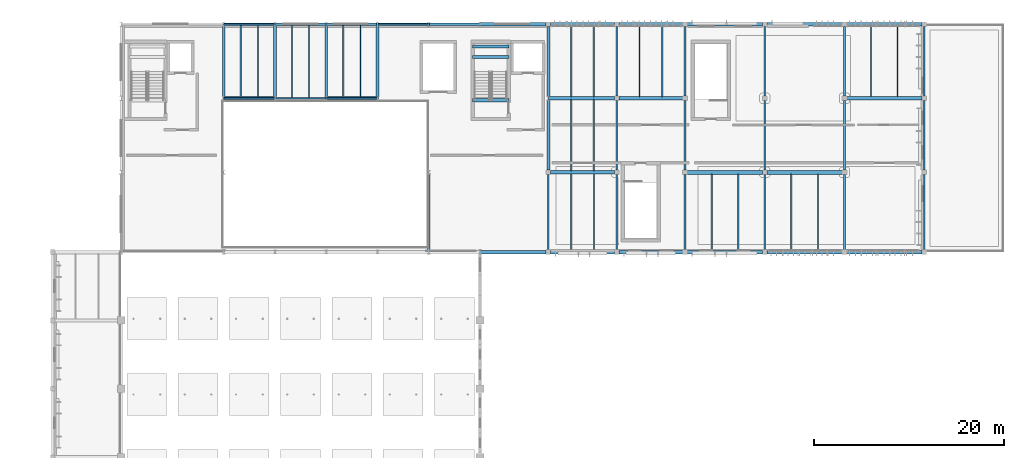
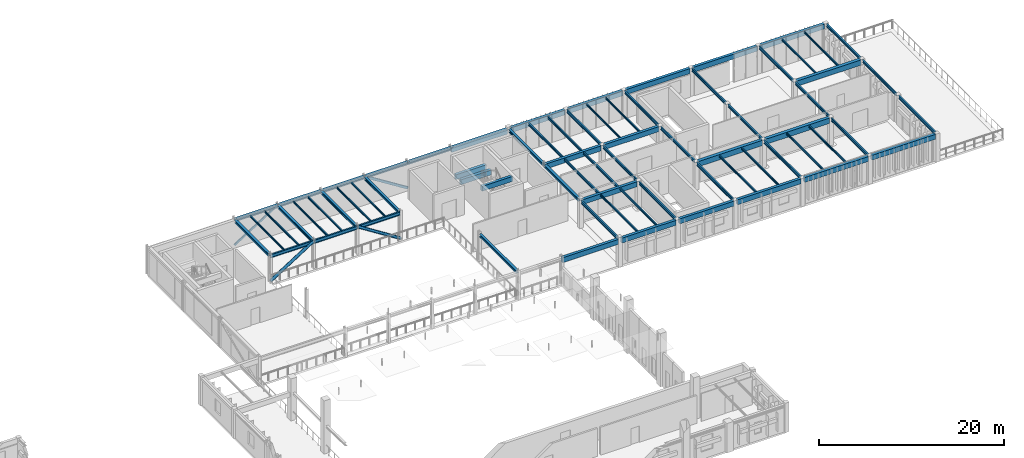
# One storey, part 7 of 44: 72 beams, 4 members.
"""IFC4 building model written with IfcOpenShell, lengths in metres."""

from ifc_helpers import new_model, si_unit, direction, frame, origin, origin_2d, place, context, subcontext, project, spatial, rectangle, hollow_rectangle, hollow_circle, i_section, extrude, material, material_profile, profile_set, type_object, element, save


model = new_model("IFC4")

# Units and contexts
model_context = context("Model", 3, precision=1e-05, world=origin(), true_north=direction((0.0, 1.0)))
body_context = subcontext(model_context, "Body", "Model", "MODEL_VIEW")
ifc_project = project(units=[si_unit("LENGTHUNIT", "METRE"), si_unit("AREAUNIT", "SQUARE_METRE"), si_unit("VOLUMEUNIT", "CUBIC_METRE"), si_unit("PLANEANGLEUNIT", "RADIAN"), si_unit("MASSUNIT", "GRAM", prefix="KILO")], contexts=[model_context])

# Site, building, storey
site_placement = place(None, origin())
site = spatial("IfcSite", under=ifc_project, at=site_placement, CompositionType="ELEMENT")
building_placement = place(site_placement, origin())
building = spatial("IfcBuilding", under=site, at=building_placement, Name="Tazoul Stagehouse", CompositionType="ELEMENT")
storey_placement = place(building_placement, frame((0.0, 0.0, 13.199951171875)))
storey = spatial("IfcBuildingStorey", under=building, at=storey_placement, Name="L03", CompositionType="ELEMENT", Elevation=13.199951171875)

# Members
ifc_material_1 = material(Name="Steel S355", Category="steel")
ifc_material_profile_1 = material_profile(ifc_material_1, hollow_rectangle(XDim=0.199951171875, YDim=0.300048828125, WallThickness=0.012451171875, InnerFilletRadius=0.012451171875, OuterFilletRadius=0.018798828125, at=origin_2d()), Name="RHS 300x200x12.5")
ifc_profile_set_1 = profile_set([ifc_material_profile_1], Name="Steel S355")
member_type_1 = type_object("IfcMemberType", Name="Heavy Frame Brace RHS 300x200x12.5 (Exterior)", PredefinedType="BRACE", material=ifc_profile_set_1)
member_1_placement = place(storey_placement, frame((90.0, 111.800048828125, 0.150146484375), z_axis=(-0.84623539576, 0.0, 0.532809210659), x_axis=(0.0, -1.0, 0.0)))
element("IfcMember", 1, at=member_1_placement, inside=storey, type_object=member_type_1, Name="L03 Concentric Brace BR-06E (BR-FT-L03-N2)", PredefinedType="BRACE", context=body_context, shape_type="SweptSolid", body=[
    extrude(hollow_rectangle(XDim=0.199951171875, YDim=0.300048828125, WallThickness=0.012451171875, InnerFilletRadius=0.012451171875, OuterFilletRadius=0.018798828125, at=origin_2d()), origin(), (0.0, 0.0, 1.0), 6.381103515625),
])
ifc_material_profile_2 = material_profile(ifc_material_1, hollow_rectangle(XDim=0.14990234375, YDim=0.25, WallThickness=0.010009765625, InnerFilletRadius=0.010009765625, OuterFilletRadius=0.014892578125, at=origin_2d()), Name="RHS 250x150x10")
ifc_profile_set_2 = profile_set([ifc_material_profile_2], Name="Steel S355")
member_type_2 = type_object("IfcMemberType", Name="Lateral Frame Brace RHS 250x150x10 (Exterior)", PredefinedType="BRACE", material=ifc_profile_set_2)
member_2_placement = place(storey_placement, frame((68.39990234375, 111.800048828125, 0.150146484375), z_axis=(0.846246256707, 0.0, 0.532791960346), x_axis=(0.0, 1.0, 0.0)))
element("IfcMember", 2, at=member_2_placement, inside=storey, type_object=member_type_2, Name="L03 Concentric Brace BR-05E (BR-FT-L03-N1)", PredefinedType="BRACE", context=body_context, shape_type="SweptSolid", body=[
    extrude(hollow_rectangle(XDim=0.14990234375, YDim=0.25, WallThickness=0.010009765625, InnerFilletRadius=0.010009765625, OuterFilletRadius=0.014892578125, at=origin_2d()), origin(), (0.0, 0.0, 1.0), 6.38134765625),
])

# Beams
ifc_material_2 = material(Name="Concrete C40/50", Category="concrete")
ifc_material_profile_3 = material_profile(ifc_material_2, rectangle(XDim=0.35009765625, YDim=0.64990234375, at=origin_2d()), Name="RC 350x650")
ifc_profile_set_3 = profile_set([ifc_material_profile_3], Name="Concrete C40/50")
beam_type_1 = type_object("IfcBeamType", Name="RC Perimeter Spandrel 350x650", PredefinedType="SPANDREL", material=ifc_profile_set_3)
beam_1_placement = place(storey_placement, frame((95.409912109375, 87.800048828125, 3.322998046875), z_axis=(1.0, 0.0, 0.0), x_axis=(0.0, 1.0, 0.0)))
element("IfcBeam", 3, at=beam_1_placement, inside=storey, type_object=beam_type_1, Name="L03 Beam SP-01 N/15-16", PredefinedType="SPANDREL", context=body_context, shape_type="SweptSolid", body=[
    extrude(rectangle(XDim=0.35009765625, YDim=0.64990234375, at=origin_2d()), origin(), (0.0, 0.0, 1.0), 6.965087890625),
])
ifc_material_profile_4 = material_profile(ifc_material_2, rectangle(XDim=0.35009765625, YDim=0.64990234375, at=origin_2d()), Name="RC 350x650")
ifc_profile_set_4 = profile_set([ifc_material_profile_4], Name="Concrete C40/50")
beam_type_2 = type_object("IfcBeamType", Name="RC Perimeter Spandrel 350x650 (Exterior)", PredefinedType="SPANDREL", material=ifc_profile_set_4)
for number, where, z_axis, x_axis, name in (
    (4, (102.824951171875, 87.800048828125, 3.322998046875), (1.0, 0.0, 0.0), (0.0, 1.0, 0.0), "L03 Beam SP-01E N/16-17"),
    (5, (110.02490234375, 87.800048828125, 3.3330078125), (1.0, 0.0, 0.0), (0.0, 1.0, 0.0), "L03 Beam SP-01E N/17-18"),
):
    element("IfcBeam", number, at=place(storey_placement, frame(where, z_axis=z_axis, x_axis=x_axis)), inside=storey, type_object=beam_type_2, Name=name, PredefinedType="SPANDREL", context=body_context, shape_type="SweptSolid", body=[
        extrude(rectangle(XDim=0.35009765625, YDim=0.64990234375, at=origin_2d()), origin(), (0.0, 0.0, 1.0), 6.75),
    ])
for number, where, z_axis, x_axis, name in (
    (6, (117.22509765625, 87.800048828125, 3.3330078125), (1.0, 0.0, 0.0), (0.0, 1.0, 0.0), "L03 Beam SP-01E N/18-19"),
    (7, (125.625, 87.800048828125, 3.3330078125), (1.0, 0.0, 0.0), (0.0, 1.0, 0.0), "L03 Beam SP-01E N/19-20"),
):
    element("IfcBeam", number, at=place(storey_placement, frame(where, z_axis=z_axis, x_axis=x_axis)), inside=storey, type_object=beam_type_2, Name=name, PredefinedType="SPANDREL", context=body_context, shape_type="SweptSolid", body=[
        extrude(rectangle(XDim=0.35009765625, YDim=0.64990234375, at=origin_2d()), origin(), (0.0, 0.0, 1.0), 7.949951171875),
    ])
beam_2_placement = place(storey_placement, frame((134.02490234375, 87.800048828125, 3.3330078125), z_axis=(1.0, 0.0, 0.0), x_axis=(0.0, 1.0, 0.0)))
element("IfcBeam", 8, at=beam_2_placement, inside=storey, type_object=beam_type_2, Name="L03 Beam SP-01E N/20-21", PredefinedType="SPANDREL", context=body_context, shape_type="SweptSolid", body=[
    extrude(rectangle(XDim=0.35009765625, YDim=0.64990234375, at=origin_2d()), origin(), (0.0, 0.0, 1.0), 7.9501953125),
])
beam_3_placement = place(storey_placement, frame((95.409912109375, 111.800048828125, 3.322998046875), z_axis=(1.0, 0.0, 0.0), x_axis=(0.0, 1.0, 0.0)))
element("IfcBeam", 9, at=beam_3_placement, inside=storey, type_object=beam_type_2, Name="L03 Beam SP-01E R/15-16", PredefinedType="SPANDREL", context=body_context, shape_type="SweptSolid", body=[
    extrude(rectangle(XDim=0.35009765625, YDim=0.64990234375, at=origin_2d()), origin(), (0.0, 0.0, 1.0), 6.965087890625),
])
for number, where, z_axis, x_axis, name in (
    (10, (102.824951171875, 111.800048828125, 3.322998046875), (1.0, 0.0, 0.0), (0.0, 1.0, 0.0), "L03 Beam SP-01E R/16-17"),
    (11, (110.02490234375, 111.800048828125, 3.3330078125), (1.0, 0.0, 0.0), (0.0, 1.0, 0.0), "L03 Beam SP-01E R/17-18"),
):
    element("IfcBeam", number, at=place(storey_placement, frame(where, z_axis=z_axis, x_axis=x_axis)), inside=storey, type_object=beam_type_2, Name=name, PredefinedType="SPANDREL", context=body_context, shape_type="SweptSolid", body=[
        extrude(rectangle(XDim=0.35009765625, YDim=0.64990234375, at=origin_2d()), origin(), (0.0, 0.0, 1.0), 6.75),
    ])
for number, where, z_axis, x_axis, name in (
    (12, (117.22509765625, 111.800048828125, 3.3330078125), (1.0, 0.0, 0.0), (0.0, 1.0, 0.0), "L03 Beam SP-01E R/18-19"),
    (13, (125.625, 111.800048828125, 3.3330078125), (1.0, 0.0, 0.0), (0.0, 1.0, 0.0), "L03 Beam SP-01E R/19-20"),
):
    element("IfcBeam", number, at=place(storey_placement, frame(where, z_axis=z_axis, x_axis=x_axis)), inside=storey, type_object=beam_type_2, Name=name, PredefinedType="SPANDREL", context=body_context, shape_type="SweptSolid", body=[
        extrude(rectangle(XDim=0.35009765625, YDim=0.64990234375, at=origin_2d()), origin(), (0.0, 0.0, 1.0), 7.949951171875),
    ])
beam_4_placement = place(storey_placement, frame((134.02490234375, 111.800048828125, 3.3330078125), z_axis=(1.0, 0.0, 0.0), x_axis=(0.0, 1.0, 0.0)))
element("IfcBeam", 14, at=beam_4_placement, inside=storey, type_object=beam_type_2, Name="L03 Beam SP-01E R/20-21", PredefinedType="SPANDREL", context=body_context, shape_type="SweptSolid", body=[
    extrude(rectangle(XDim=0.35009765625, YDim=0.64990234375, at=origin_2d()), origin(), (0.0, 0.0, 1.0), 7.9501953125),
])
ifc_material_profile_5 = material_profile(ifc_material_2, rectangle(XDim=0.35009765625, YDim=0.64990234375, at=origin_2d()), Name="RC 350x650")
ifc_profile_set_5 = profile_set([ifc_material_profile_5], Name="Concrete C40/50")
beam_type_3 = type_object("IfcBeamType", Name="RC Primary Girder 350x650", PredefinedType="BEAM", material=ifc_profile_set_5)
beam_5_placement = place(storey_placement, frame((102.824951171875, 96.199951171875, 3.322998046875), z_axis=(1.0, 0.0, 0.0), x_axis=(0.0, 1.0, 0.0)))
element("IfcBeam", 15, at=beam_5_placement, inside=storey, type_object=beam_type_3, Name="L03 Beam BM-01 P/16-17", PredefinedType="BEAM", context=body_context, shape_type="SweptSolid", body=[
    extrude(rectangle(XDim=0.35009765625, YDim=0.64990234375, at=origin_2d()), origin(), (0.0, 0.0, 1.0), 6.75),
])
beam_6_placement = place(storey_placement, frame((102.610107421875, 104.0, 3.322998046875), z_axis=(1.0, 0.0, 0.0), x_axis=(0.0, 1.0, 0.0)))
element("IfcBeam", 16, at=beam_6_placement, inside=storey, type_object=beam_type_3, Name="L03 Beam BM-01 Q/16-17", PredefinedType="BEAM", context=body_context, shape_type="SweptSolid", body=[
    extrude(rectangle(XDim=0.35009765625, YDim=0.64990234375, at=origin_2d()), origin(), (0.0, 0.0, 1.0), 6.96484375),
])
beam_7_placement = place(storey_placement, frame((110.02490234375, 104.0, 3.3330078125), z_axis=(1.0, 0.0, 0.0), x_axis=(0.0, 1.0, 0.0)))
element("IfcBeam", 17, at=beam_7_placement, inside=storey, type_object=beam_type_3, Name="L03 Beam BM-01 Q/17-18", PredefinedType="BEAM", context=body_context, shape_type="SweptSolid", body=[
    extrude(rectangle(XDim=0.35009765625, YDim=0.64990234375, at=origin_2d()), origin(), (0.0, 0.0, 1.0), 6.75),
])
for number, where, z_axis, x_axis, name in (
    (18, (94.6201171875, 108.35009765625, 1.429931640625), (1.0, 0.0, 0.0), (0.0, 1.0, 0.0), "L03 Stair Half-Landing Trimmer BM-01 (ST-01-1)"),
    (19, (94.6201171875, 109.449951171875, 1.429931640625), (1.0, 0.0, 0.0), (0.0, 1.0, 0.0), "L03 Stair Half-Landing Trimmer BM-01 (ST-01-2)"),
    (20, (94.6201171875, 103.800048828125, 3.324951171875), (1.0, 0.0, 0.0), (0.0, 1.0, 0.0), "L03 Stair Landing Trimmer BM-01 (ST-01-FL)"),
):
    element("IfcBeam", number, at=place(storey_placement, frame(where, z_axis=z_axis, x_axis=x_axis)), inside=storey, type_object=beam_type_3, Name=name, PredefinedType="BEAM", context=body_context, shape_type="SweptSolid", body=[
        extrude(rectangle(XDim=0.35009765625, YDim=0.64990234375, at=origin_2d()), origin(), (0.0, 0.0, 1.0), 3.809814453125),
    ])
ifc_material_profile_6 = material_profile(ifc_material_2, rectangle(XDim=0.39990234375, YDim=0.699951171875, at=origin_2d()), Name="RC 400x700")
ifc_profile_set_6 = profile_set([ifc_material_profile_6], Name="Concrete C40/50")
beam_type_4 = type_object("IfcBeamType", Name="RC Primary Girder 400x700", PredefinedType="BEAM", material=ifc_profile_set_6)
for number, where, z_axis, x_axis, name in (
    (21, (117.22509765625, 96.199951171875, 3.30810546875), (1.0, 0.0, 0.0), (0.0, 1.0, 0.0), "L03 Beam BM-02 P/18-19"),
    (22, (125.625, 96.199951171875, 3.30810546875), (1.0, 0.0, 0.0), (0.0, 1.0, 0.0), "L03 Beam BM-02 P/19-20"),
):
    element("IfcBeam", number, at=place(storey_placement, frame(where, z_axis=z_axis, x_axis=x_axis)), inside=storey, type_object=beam_type_4, Name=name, PredefinedType="BEAM", context=body_context, shape_type="SweptSolid", body=[
        extrude(rectangle(XDim=0.39990234375, YDim=0.699951171875, at=origin_2d()), origin(), (0.0, 0.0, 1.0), 7.949951171875),
    ])
beam_8_placement = place(storey_placement, frame((134.02490234375, 104.0, 3.30810546875), z_axis=(1.0, 0.0, 0.0), x_axis=(0.0, 1.0, 0.0)))
element("IfcBeam", 23, at=beam_8_placement, inside=storey, type_object=beam_type_4, Name="L03 Beam BM-02 Q/20-21", PredefinedType="BEAM", context=body_context, shape_type="SweptSolid", body=[
    extrude(rectangle(XDim=0.39990234375, YDim=0.699951171875, at=origin_2d()), origin(), (0.0, 0.0, 1.0), 7.9501953125),
])

# Members
ifc_material_profile_7 = material_profile(ifc_material_1, hollow_circle(Radius=0.177734375, WallThickness=0.01416015625, at=origin_2d()), Name="CHS 355.6x14.2")
ifc_profile_set_7 = profile_set([ifc_material_profile_7], Name="Steel S355")
member_type_3 = type_object("IfcMemberType", Name="Stagehouse Frame Brace CHS 355.6x14.2", PredefinedType="BRACE", material=ifc_profile_set_7)
for number, where, z_axis, x_axis, name in (
    (24, (68.39990234375, 104.0, 0.1201171875), (0.84412316984, 0.0, 0.536149302097), (0.0, 1.0, 0.0), "L03 Concentric Brace BR-04 (BR-FT-L03-IN1)"),
    (25, (84.60009765625, 104.0, 0.1201171875), (-0.84412316984, 0.0, 0.536149302097), (0.0, -1.0, 0.0), "L03 Concentric Brace BR-04 (BR-FT-L03-IN2)"),
):
    element("IfcMember", number, at=place(storey_placement, frame(where, z_axis=z_axis, x_axis=x_axis)), inside=storey, type_object=member_type_3, Name=name, PredefinedType="BRACE", context=body_context, shape_type="SweptSolid", body=[
        extrude(hollow_circle(Radius=0.177734375, WallThickness=0.01416015625, at=origin_2d()), origin(), (0.0, 0.0, 1.0), 6.3974609375),
    ])

# Beams
ifc_material_profile_8 = material_profile(ifc_material_1, i_section(OverallWidth=0.1201171875, OverallDepth=0.239990234375, WebThickness=0.006103515625, FlangeThickness=0.009765625, FilletRadius=0.014892578125, at=origin_2d()), Name="IPE 240")
ifc_profile_set_8 = profile_set([ifc_material_profile_8], Name="Steel S355")
beam_type_5 = type_object("IfcBeamType", Name="Steel Floor Joist IPE 240", PredefinedType="JOIST", material=ifc_profile_set_8)
for number, where, z_axis, x_axis, name in (
    (26, (70.199951171875, 104.070068359375, 3.528076171875), (0.0, 1.0, 0.0), (-1.0, 0.0, 0.0), "L03 Joist JS-01 10/Q-1"),
    (27, (72.0, 104.070068359375, 3.528076171875), (0.0, 1.0, 0.0), (-1.0, 0.0, 0.0), "L03 Joist JS-01 10/Q-2"),
    (28, (75.60009765625, 104.070068359375, 3.528076171875), (0.0, 1.0, 0.0), (-1.0, 0.0, 0.0), "L03 Joist JS-01 11/Q-1"),
    (29, (77.39990234375, 104.070068359375, 3.528076171875), (0.0, 1.0, 0.0), (-1.0, 0.0, 0.0), "L03 Joist JS-01 11/Q-2"),
    (30, (81.0, 104.070068359375, 3.528076171875), (0.0, 1.0, 0.0), (-1.0, 0.0, 0.0), "L03 Joist JS-01 12/Q-1"),
    (31, (82.800048828125, 104.070068359375, 3.528076171875), (0.0, 1.0, 0.0), (-1.0, 0.0, 0.0), "L03 Joist JS-01 12/Q-2"),
):
    element("IfcBeam", number, at=place(storey_placement, frame(where, z_axis=z_axis, x_axis=x_axis)), inside=storey, type_object=beam_type_5, Name=name, PredefinedType="JOIST", context=body_context, shape_type="SweptSolid", body=[
        extrude(i_section(OverallWidth=0.1201171875, OverallDepth=0.239990234375, WebThickness=0.006103515625, FlangeThickness=0.009765625, FilletRadius=0.014892578125, at=origin_2d()), origin(), (0.0, 0.0, 1.0), 7.60498046875),
    ])
for number, where, z_axis, x_axis, name in (
    (32, (112.199951171875, 104.14990234375, 3.5380859375), (0.0, 1.0, 0.0), (-1.0, 0.0, 0.0), "L03 Joist JS-01 17/Q-1"),
    (33, (114.60009765625, 104.14990234375, 3.5380859375), (0.0, 1.0, 0.0), (-1.0, 0.0, 0.0), "L03 Joist JS-01 17/Q-2"),
):
    element("IfcBeam", number, at=place(storey_placement, frame(where, z_axis=z_axis, x_axis=x_axis)), inside=storey, type_object=beam_type_5, Name=name, PredefinedType="JOIST", context=body_context, shape_type="SweptSolid", body=[
        extrude(i_section(OverallWidth=0.1201171875, OverallDepth=0.239990234375, WebThickness=0.006103515625, FlangeThickness=0.009765625, FilletRadius=0.014892578125, at=origin_2d()), origin(), (0.0, 0.0, 1.0), 7.5),
    ])
for number, where, z_axis, x_axis, name in (
    (34, (136.60009765625, 104.175048828125, 3.5380859375), (0.0, 1.0, 0.0), (-1.0, 0.0, 0.0), "L03 Joist JS-01 20/Q-1"),
    (35, (139.39990234375, 104.175048828125, 3.5380859375), (0.0, 1.0, 0.0), (-1.0, 0.0, 0.0), "L03 Joist JS-01 20/Q-2"),
):
    element("IfcBeam", number, at=place(storey_placement, frame(where, z_axis=z_axis, x_axis=x_axis)), inside=storey, type_object=beam_type_5, Name=name, PredefinedType="JOIST", context=body_context, shape_type="SweptSolid", body=[
        extrude(i_section(OverallWidth=0.1201171875, OverallDepth=0.239990234375, WebThickness=0.006103515625, FlangeThickness=0.009765625, FilletRadius=0.014892578125, at=origin_2d()), origin(), (0.0, 0.0, 1.0), 7.474853515625),
    ])
ifc_material_profile_9 = material_profile(ifc_material_1, i_section(OverallWidth=0.135009765625, OverallDepth=0.27001953125, WebThickness=0.006591796875, FlangeThickness=0.01025390625, FilletRadius=0.014892578125, at=origin_2d()), Name="IPE 270")
ifc_profile_set_9 = profile_set([ifc_material_profile_9], Name="Steel S355")
beam_type_6 = type_object("IfcBeamType", Name="Steel Floor Joist IPE 270", PredefinedType="JOIST", material=ifc_profile_set_9)
for number, where, z_axis, x_axis, name in (
    (36, (105.0, 87.949951171875, 3.512939453125), (0.0, 1.0, 0.0), (-1.0, 0.0, 0.0), "L03 Joist JS-02 16/N-1"),
    (37, (107.39990234375, 87.949951171875, 3.512939453125), (0.0, 1.0, 0.0), (-1.0, 0.0, 0.0), "L03 Joist JS-02 16/N-2"),
):
    element("IfcBeam", number, at=place(storey_placement, frame(where, z_axis=z_axis, x_axis=x_axis)), inside=storey, type_object=beam_type_6, Name=name, PredefinedType="JOIST", context=body_context, shape_type="SweptSolid", body=[
        extrude(i_section(OverallWidth=0.135009765625, OverallDepth=0.27001953125, WebThickness=0.006591796875, FlangeThickness=0.01025390625, FilletRadius=0.014892578125, at=origin_2d()), origin(), (0.0, 0.0, 1.0), 8.10009765625),
    ])
for number, where, z_axis, x_axis, name in (
    (38, (119.800048828125, 87.949951171875, 3.52294921875), (0.0, 1.0, 0.0), (-1.0, 0.0, 0.0), "L03 Joist JS-02 18/N-1"),
    (39, (122.60009765625, 87.949951171875, 3.52294921875), (0.0, 1.0, 0.0), (-1.0, 0.0, 0.0), "L03 Joist JS-02 18/N-2"),
    (40, (128.199951171875, 87.949951171875, 3.52294921875), (0.0, 1.0, 0.0), (-1.0, 0.0, 0.0), "L03 Joist JS-02 19/N-1"),
    (41, (131.0, 87.949951171875, 3.52294921875), (0.0, 1.0, 0.0), (-1.0, 0.0, 0.0), "L03 Joist JS-02 19/N-2"),
):
    element("IfcBeam", number, at=place(storey_placement, frame(where, z_axis=z_axis, x_axis=x_axis)), inside=storey, type_object=beam_type_6, Name=name, PredefinedType="JOIST", context=body_context, shape_type="SweptSolid", body=[
        extrude(i_section(OverallWidth=0.135009765625, OverallDepth=0.27001953125, WebThickness=0.006591796875, FlangeThickness=0.01025390625, FilletRadius=0.014892578125, at=origin_2d()), origin(), (0.0, 0.0, 1.0), 8.074951171875),
    ])
ifc_material_profile_10 = material_profile(ifc_material_1, i_section(OverallWidth=0.300048828125, OverallDepth=0.35009765625, WebThickness=0.010009765625, FlangeThickness=0.017578125, FilletRadius=0.027099609375, at=origin_2d()), Name="HEA 360")
ifc_profile_set_10 = profile_set([ifc_material_profile_10], Name="Steel S355")
beam_type_7 = type_object("IfcBeamType", Name="Steel Fly-Tower Ring Beam HEA 360", PredefinedType="BEAM", material=ifc_profile_set_10)
beam_9_placement = place(storey_placement, frame((68.39990234375, 104.199951171875, 3.47314453125), z_axis=(0.0, 1.0, 0.0), x_axis=(-1.0, 0.0, 0.0)))
element("IfcBeam", 42, at=beam_9_placement, inside=storey, type_object=beam_type_7, Name="L03 Beam SB-07 10/Q-R", PredefinedType="BEAM", context=body_context, shape_type="SweptSolid", body=[
    extrude(i_section(OverallWidth=0.300048828125, OverallDepth=0.35009765625, WebThickness=0.010009765625, FlangeThickness=0.017578125, FilletRadius=0.027099609375, at=origin_2d()), origin(), (0.0, 0.0, 1.0), 7.400146484375),
])
for number, where, z_axis, x_axis, name in (
    (43, (73.800048828125, 104.155029296875, 3.47314453125), (0.0, 1.0, 0.0), (-1.0, 0.0, 0.0), "L03 Beam SB-07 11/Q-R"),
    (44, (79.199951171875, 104.155029296875, 3.47314453125), (0.0, 1.0, 0.0), (-1.0, 0.0, 0.0), "L03 Beam SB-07 12/Q-R"),
    (45, (84.60009765625, 104.155029296875, 3.47314453125), (0.0, 1.0, 0.0), (-1.0, 0.0, 0.0), "L03 Beam SB-07 13/Q-R"),
):
    element("IfcBeam", number, at=place(storey_placement, frame(where, z_axis=z_axis, x_axis=x_axis)), inside=storey, type_object=beam_type_7, Name=name, PredefinedType="BEAM", context=body_context, shape_type="SweptSolid", body=[
        extrude(i_section(OverallWidth=0.300048828125, OverallDepth=0.35009765625, WebThickness=0.010009765625, FlangeThickness=0.017578125, FilletRadius=0.027099609375, at=origin_2d()), origin(), (0.0, 0.0, 1.0), 7.489990234375),
    ])
beam_10_placement = place(storey_placement, frame((90.0, 88.0, 3.47314453125), z_axis=(0.0, 1.0, 0.0), x_axis=(-1.0, 0.0, 0.0)))
element("IfcBeam", 46, at=beam_10_placement, inside=storey, type_object=beam_type_7, Name="L03 Beam SB-07 14/N-P", PredefinedType="BEAM", context=body_context, shape_type="SweptSolid", body=[
    extrude(i_section(OverallWidth=0.300048828125, OverallDepth=0.35009765625, WebThickness=0.010009765625, FlangeThickness=0.017578125, FilletRadius=0.027099609375, at=origin_2d()), origin(), (0.0, 0.0, 1.0), 8.044921875),
])
for number, where, z_axis, x_axis, name in (
    (47, (102.60009765625, 96.425048828125, 3.47314453125), (0.0, 1.0, 0.0), (-1.0, 0.0, 0.0), "L03 Beam SB-07 16/P-Q"),
    (48, (102.60009765625, 104.199951171875, 3.47314453125), (0.0, 1.0, 0.0), (-1.0, 0.0, 0.0), "L03 Beam SB-07 16/Q-R"),
):
    element("IfcBeam", number, at=place(storey_placement, frame(where, z_axis=z_axis, x_axis=x_axis)), inside=storey, type_object=beam_type_7, Name=name, PredefinedType="BEAM", context=body_context, shape_type="SweptSolid", body=[
        extrude(i_section(OverallWidth=0.300048828125, OverallDepth=0.35009765625, WebThickness=0.010009765625, FlangeThickness=0.017578125, FilletRadius=0.027099609375, at=origin_2d()), origin(), (0.0, 0.0, 1.0), 7.375),
    ])
ifc_material_profile_11 = material_profile(ifc_material_1, i_section(OverallWidth=0.300048828125, OverallDepth=0.389892578125, WebThickness=0.010986328125, FlangeThickness=0.01904296875, FilletRadius=0.027099609375, at=origin_2d()), Name="HEA 400")
ifc_profile_set_11 = profile_set([ifc_material_profile_11], Name="Steel S355")
beam_type_8 = type_object("IfcBeamType", Name="Steel Fly-Tower Spandrel HEA 400 (Exterior)", PredefinedType="SPANDREL", material=ifc_profile_set_11)
beam_11_placement = place(storey_placement, frame((68.409912109375, 111.800048828125, 3.453125), z_axis=(1.0, 0.0, 0.0), x_axis=(0.0, 1.0, 0.0)))
element("IfcBeam", 49, at=beam_11_placement, inside=storey, type_object=beam_type_8, Name="L03 Beam SP-04E R/10-11", PredefinedType="SPANDREL", context=body_context, shape_type="SweptSolid", body=[
    extrude(i_section(OverallWidth=0.300048828125, OverallDepth=0.389892578125, WebThickness=0.010986328125, FlangeThickness=0.01904296875, FilletRadius=0.027099609375, at=origin_2d()), origin(), (0.0, 0.0, 1.0), 5.380126953125),
])
beam_12_placement = place(storey_placement, frame((73.81005859375, 111.800048828125, 3.453125), z_axis=(1.0, 0.0, 0.0), x_axis=(0.0, 1.0, 0.0)))
element("IfcBeam", 50, at=beam_12_placement, inside=storey, type_object=beam_type_8, Name="L03 Beam SP-04E R/11-12", PredefinedType="SPANDREL", context=body_context, shape_type="SweptSolid", body=[
    extrude(i_section(OverallWidth=0.300048828125, OverallDepth=0.389892578125, WebThickness=0.010986328125, FlangeThickness=0.01904296875, FilletRadius=0.027099609375, at=origin_2d()), origin(), (0.0, 0.0, 1.0), 5.3798828125),
])
beam_13_placement = place(storey_placement, frame((79.2099609375, 111.800048828125, 3.453125), z_axis=(1.0, 0.0, 0.0), x_axis=(0.0, 1.0, 0.0)))
element("IfcBeam", 51, at=beam_13_placement, inside=storey, type_object=beam_type_8, Name="L03 Beam SP-04E R/12-13", PredefinedType="SPANDREL", context=body_context, shape_type="SweptSolid", body=[
    extrude(i_section(OverallWidth=0.300048828125, OverallDepth=0.389892578125, WebThickness=0.010986328125, FlangeThickness=0.01904296875, FilletRadius=0.027099609375, at=origin_2d()), origin(), (0.0, 0.0, 1.0), 5.380126953125),
])
for number, where, z_axis, x_axis, name in (
    (52, (84.610107421875, 111.800048828125, 3.453125), (1.0, 0.0, 0.0), (0.0, 1.0, 0.0), "L03 Beam SP-04E R/13-14"),
    (53, (90.010009765625, 111.800048828125, 3.453125), (1.0, 0.0, 0.0), (0.0, 1.0, 0.0), "L03 Beam SP-04E R/14-15"),
):
    element("IfcBeam", number, at=place(storey_placement, frame(where, z_axis=z_axis, x_axis=x_axis)), inside=storey, type_object=beam_type_8, Name=name, PredefinedType="SPANDREL", context=body_context, shape_type="SweptSolid", body=[
        extrude(i_section(OverallWidth=0.300048828125, OverallDepth=0.389892578125, WebThickness=0.010986328125, FlangeThickness=0.01904296875, FilletRadius=0.027099609375, at=origin_2d()), origin(), (0.0, 0.0, 1.0), 5.3798828125),
    ])
ifc_material_profile_12 = material_profile(ifc_material_1, i_section(OverallWidth=0.169921875, OverallDepth=0.360107421875, WebThickness=0.008056640625, FlangeThickness=0.0126953125, FilletRadius=0.01806640625, at=origin_2d()), Name="IPE 360")
ifc_profile_set_12 = profile_set([ifc_material_profile_12], Name="Steel S355")
beam_type_9 = type_object("IfcBeamType", Name="Steel Primary Girder IPE 360", PredefinedType="BEAM", material=ifc_profile_set_12)
for number, where, z_axis, x_axis, name in (
    (54, (109.800048828125, 96.425048828125, 3.47802734375), (0.0, 1.0, 0.0), (-1.0, 0.0, 0.0), "L03 Beam SB-01 17/P-Q"),
    (55, (109.800048828125, 104.22509765625, 3.47802734375), (0.0, 1.0, 0.0), (-1.0, 0.0, 0.0), "L03 Beam SB-01 17/Q-R"),
    (56, (117.0, 96.425048828125, 3.47802734375), (0.0, 1.0, 0.0), (-1.0, 0.0, 0.0), "L03 Beam SB-01 18/P-Q"),
    (57, (117.0, 104.22509765625, 3.47802734375), (0.0, 1.0, 0.0), (-1.0, 0.0, 0.0), "L03 Beam SB-01 18/Q-R"),
    (58, (125.39990234375, 96.425048828125, 3.47802734375), (0.0, 1.0, 0.0), (-1.0, 0.0, 0.0), "L03 Beam SB-01 19/P-Q"),
    (59, (125.39990234375, 104.22509765625, 3.47802734375), (0.0, 1.0, 0.0), (-1.0, 0.0, 0.0), "L03 Beam SB-01 19/Q-R"),
    (60, (133.800048828125, 96.425048828125, 3.47802734375), (0.0, 1.0, 0.0), (-1.0, 0.0, 0.0), "L03 Beam SB-01 20/P-Q"),
    (61, (133.800048828125, 104.22509765625, 3.47802734375), (0.0, 1.0, 0.0), (-1.0, 0.0, 0.0), "L03 Beam SB-01 20/Q-R"),
):
    element("IfcBeam", number, at=place(storey_placement, frame(where, z_axis=z_axis, x_axis=x_axis)), inside=storey, type_object=beam_type_9, Name=name, PredefinedType="BEAM", context=body_context, shape_type="SweptSolid", body=[
        extrude(i_section(OverallWidth=0.169921875, OverallDepth=0.360107421875, WebThickness=0.008056640625, FlangeThickness=0.0126953125, FilletRadius=0.01806640625, at=origin_2d()), origin(), (0.0, 0.0, 1.0), 7.349853515625),
    ])
ifc_material_profile_13 = material_profile(ifc_material_1, i_section(OverallWidth=0.169921875, OverallDepth=0.360107421875, WebThickness=0.008056640625, FlangeThickness=0.0126953125, FilletRadius=0.01806640625, at=origin_2d()), Name="IPE 360")
ifc_profile_set_13 = profile_set([ifc_material_profile_13], Name="Steel S355")
beam_type_10 = type_object("IfcBeamType", Name="Steel Primary Girder IPE 360 (Exterior)", PredefinedType="BEAM", material=ifc_profile_set_13)
for number, where, z_axis, x_axis, name in (
    (62, (142.199951171875, 96.425048828125, 3.47802734375), (0.0, 1.0, 0.0), (-1.0, 0.0, 0.0), "L03 Beam SB-01E 21/P-Q"),
    (63, (142.199951171875, 104.22509765625, 3.47802734375), (0.0, 1.0, 0.0), (-1.0, 0.0, 0.0), "L03 Beam SB-01E 21/Q-R"),
):
    element("IfcBeam", number, at=place(storey_placement, frame(where, z_axis=z_axis, x_axis=x_axis)), inside=storey, type_object=beam_type_10, Name=name, PredefinedType="BEAM", context=body_context, shape_type="SweptSolid", body=[
        extrude(i_section(OverallWidth=0.169921875, OverallDepth=0.360107421875, WebThickness=0.008056640625, FlangeThickness=0.0126953125, FilletRadius=0.01806640625, at=origin_2d()), origin(), (0.0, 0.0, 1.0), 7.349853515625),
    ])
ifc_material_profile_14 = material_profile(ifc_material_1, i_section(OverallWidth=0.179931640625, OverallDepth=0.39990234375, WebThickness=0.008544921875, FlangeThickness=0.013427734375, FilletRadius=0.02099609375, at=origin_2d()), Name="IPE 400")
ifc_profile_set_14 = profile_set([ifc_material_profile_14], Name="Steel S355")
beam_type_11 = type_object("IfcBeamType", Name="Steel Primary Girder IPE 400", PredefinedType="BEAM", material=ifc_profile_set_14)
for number, where, z_axis, x_axis, name in (
    (64, (102.60009765625, 88.02490234375, 3.447998046875), (0.0, 1.0, 0.0), (-1.0, 0.0, 0.0), "L03 Beam SB-02 16/N-P"),
    (65, (109.800048828125, 88.02490234375, 3.4580078125), (0.0, 1.0, 0.0), (-1.0, 0.0, 0.0), "L03 Beam SB-02 17/N-P"),
    (66, (117.0, 88.02490234375, 3.4580078125), (0.0, 1.0, 0.0), (-1.0, 0.0, 0.0), "L03 Beam SB-02 18/N-P"),
    (67, (125.39990234375, 88.02490234375, 3.4580078125), (0.0, 1.0, 0.0), (-1.0, 0.0, 0.0), "L03 Beam SB-02 19/N-P"),
    (68, (133.800048828125, 88.02490234375, 3.4580078125), (0.0, 1.0, 0.0), (-1.0, 0.0, 0.0), "L03 Beam SB-02 20/N-P"),
):
    element("IfcBeam", number, at=place(storey_placement, frame(where, z_axis=z_axis, x_axis=x_axis)), inside=storey, type_object=beam_type_11, Name=name, PredefinedType="BEAM", context=body_context, shape_type="SweptSolid", body=[
        extrude(i_section(OverallWidth=0.179931640625, OverallDepth=0.39990234375, WebThickness=0.008544921875, FlangeThickness=0.013427734375, FilletRadius=0.02099609375, at=origin_2d()), origin(), (0.0, 0.0, 1.0), 7.9501953125),
    ])
ifc_material_profile_15 = material_profile(ifc_material_1, i_section(OverallWidth=0.179931640625, OverallDepth=0.39990234375, WebThickness=0.008544921875, FlangeThickness=0.013427734375, FilletRadius=0.02099609375, at=origin_2d()), Name="IPE 400")
ifc_profile_set_15 = profile_set([ifc_material_profile_15], Name="Steel S355")
beam_type_12 = type_object("IfcBeamType", Name="Steel Primary Girder IPE 400 (Exterior)", PredefinedType="BEAM", material=ifc_profile_set_15)
beam_14_placement = place(storey_placement, frame((142.199951171875, 88.02490234375, 3.4580078125), z_axis=(0.0, 1.0, 0.0), x_axis=(-1.0, 0.0, 0.0)))
element("IfcBeam", 69, at=beam_14_placement, inside=storey, type_object=beam_type_12, Name="L03 Beam SB-02E 21/N-P", PredefinedType="BEAM", context=body_context, shape_type="SweptSolid", body=[
    extrude(i_section(OverallWidth=0.179931640625, OverallDepth=0.39990234375, WebThickness=0.008544921875, FlangeThickness=0.013427734375, FilletRadius=0.02099609375, at=origin_2d()), origin(), (0.0, 0.0, 1.0), 7.9501953125),
])
ifc_material_profile_16 = material_profile(ifc_material_1, i_section(OverallWidth=0.159912109375, OverallDepth=0.330078125, WebThickness=0.007568359375, FlangeThickness=0.011474609375, FilletRadius=0.01806640625, at=origin_2d()), Name="IPE 330")
ifc_profile_set_16 = profile_set([ifc_material_profile_16], Name="Steel S355")
beam_type_13 = type_object("IfcBeamType", Name="Steel Rehearsal Joist IPE 330", PredefinedType="JOIST", material=ifc_profile_set_16)
for number, where, z_axis, x_axis, name in (
    (70, (105.0, 96.35009765625, 3.483154296875), (0.0, 1.0, 0.0), (-1.0, 0.0, 0.0), "L03 Joist JS-04 16/P-1"),
    (71, (107.39990234375, 96.35009765625, 3.483154296875), (0.0, 1.0, 0.0), (-1.0, 0.0, 0.0), "L03 Joist JS-04 16/P-2"),
    (72, (105.0, 104.14990234375, 3.483154296875), (0.0, 1.0, 0.0), (-1.0, 0.0, 0.0), "L03 Joist JS-04 16/Q-1"),
    (73, (107.39990234375, 104.14990234375, 3.483154296875), (0.0, 1.0, 0.0), (-1.0, 0.0, 0.0), "L03 Joist JS-04 16/Q-2"),
):
    element("IfcBeam", number, at=place(storey_placement, frame(where, z_axis=z_axis, x_axis=x_axis)), inside=storey, type_object=beam_type_13, Name=name, PredefinedType="JOIST", context=body_context, shape_type="SweptSolid", body=[
        extrude(i_section(OverallWidth=0.159912109375, OverallDepth=0.330078125, WebThickness=0.007568359375, FlangeThickness=0.011474609375, FilletRadius=0.01806640625, at=origin_2d()), origin(), (0.0, 0.0, 1.0), 7.5),
    ])
ifc_material_profile_17 = material_profile(ifc_material_1, i_section(OverallWidth=0.18994140625, OverallDepth=0.449951171875, WebThickness=0.009521484375, FlangeThickness=0.0146484375, FilletRadius=0.02099609375, at=origin_2d()), Name="IPE 450")
ifc_profile_set_17 = profile_set([ifc_material_profile_17], Name="Steel S355")
beam_type_14 = type_object("IfcBeamType", Name="Steel Stage Girder IPE 450", PredefinedType="BEAM", material=ifc_profile_set_17)
beam_15_placement = place(storey_placement, frame((68.409912109375, 104.0, 3.423095703125), z_axis=(1.0, 0.0, 0.0), x_axis=(0.0, 1.0, 0.0)))
element("IfcBeam", 74, at=beam_15_placement, inside=storey, type_object=beam_type_14, Name="L03 Beam SB-03 Q/10-11", PredefinedType="BEAM", context=body_context, shape_type="SweptSolid", body=[
    extrude(i_section(OverallWidth=0.18994140625, OverallDepth=0.449951171875, WebThickness=0.009521484375, FlangeThickness=0.0146484375, FilletRadius=0.02099609375, at=origin_2d()), origin(), (0.0, 0.0, 1.0), 5.380126953125),
])
beam_16_placement = place(storey_placement, frame((73.81005859375, 104.0, 3.423095703125), z_axis=(1.0, 0.0, 0.0), x_axis=(0.0, 1.0, 0.0)))
element("IfcBeam", 75, at=beam_16_placement, inside=storey, type_object=beam_type_14, Name="L03 Beam SB-03 Q/11-12", PredefinedType="BEAM", context=body_context, shape_type="SweptSolid", body=[
    extrude(i_section(OverallWidth=0.18994140625, OverallDepth=0.449951171875, WebThickness=0.009521484375, FlangeThickness=0.0146484375, FilletRadius=0.02099609375, at=origin_2d()), origin(), (0.0, 0.0, 1.0), 5.3798828125),
])
beam_17_placement = place(storey_placement, frame((79.2099609375, 104.0, 3.423095703125), z_axis=(1.0, 0.0, 0.0), x_axis=(0.0, 1.0, 0.0)))
element("IfcBeam", 76, at=beam_17_placement, inside=storey, type_object=beam_type_14, Name="L03 Beam SB-03 Q/12-13", PredefinedType="BEAM", context=body_context, shape_type="SweptSolid", body=[
    extrude(i_section(OverallWidth=0.18994140625, OverallDepth=0.449951171875, WebThickness=0.009521484375, FlangeThickness=0.0146484375, FilletRadius=0.02099609375, at=origin_2d()), origin(), (0.0, 0.0, 1.0), 5.380126953125),
])

save(model, "model.ifc")
